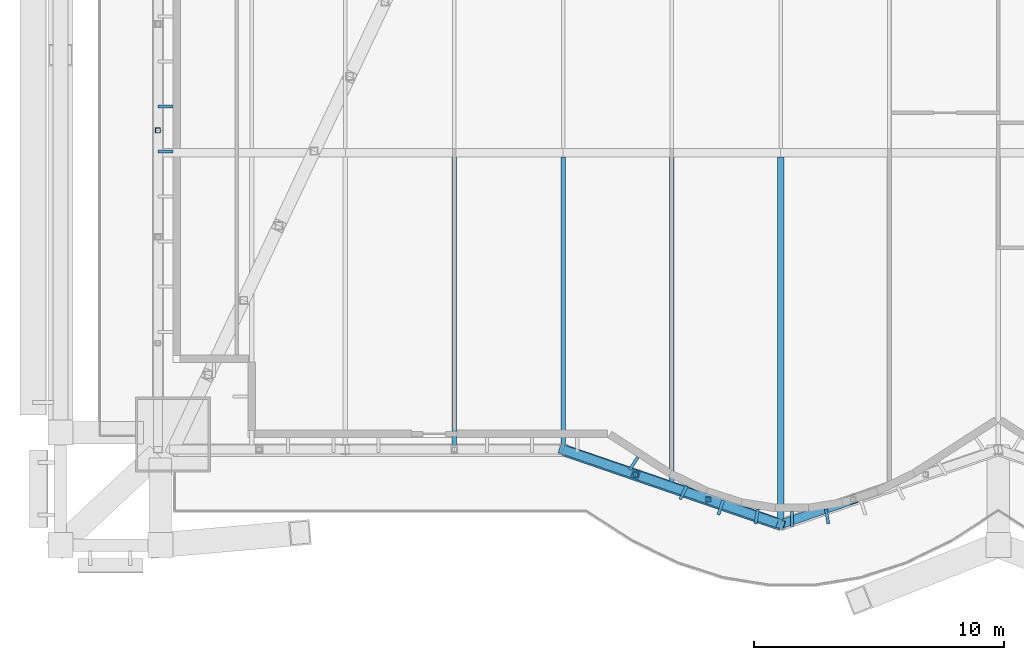
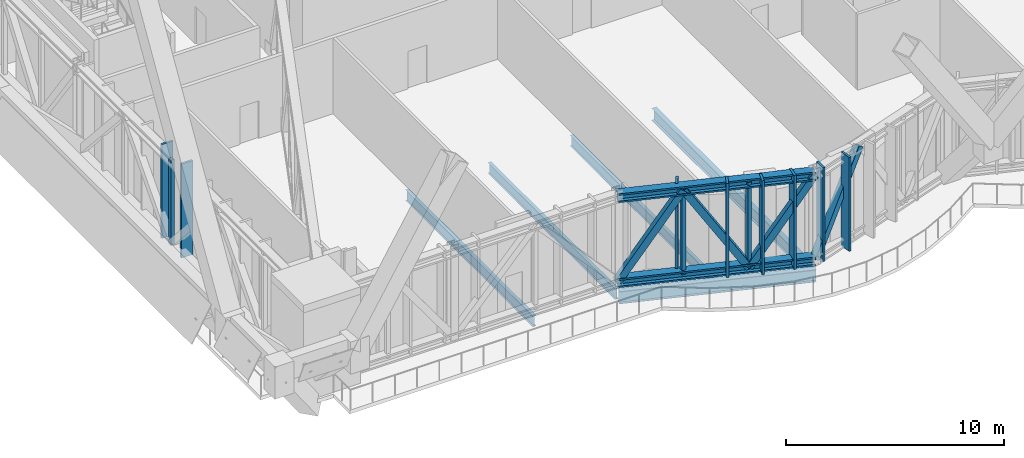
# One storey, part 5 of 32: 17 members, 5 beams, 1 element without a shape of its own.
"""IFC4 building model written with IfcOpenShell, lengths in metres."""

from ifc_helpers import new_model, si_unit, direction, frame, origin, origin_2d, place, context, subcontext, project, spatial, rectangle, hollow_rectangle, i_section, extrude, material, material_profile, profile_set, type_object, element, aggregate, save


model = new_model("IFC4")

# Units and contexts
model_context = context("Model", 3, precision=1e-05, world=origin(), true_north=direction((0.0, 1.0)))
body_context = subcontext(model_context, "Body", "Model", "MODEL_VIEW")
ifc_project = project(units=[si_unit("LENGTHUNIT", "METRE"), si_unit("AREAUNIT", "SQUARE_METRE"), si_unit("VOLUMEUNIT", "CUBIC_METRE"), si_unit("PLANEANGLEUNIT", "RADIAN"), si_unit("MASSUNIT", "GRAM", prefix="KILO")], contexts=[model_context])

# Site, building, storey
site_placement = place(None, origin())
site = spatial("IfcSite", under=ifc_project, at=site_placement, CompositionType="ELEMENT")
building_placement = place(site_placement, origin())
building = spatial("IfcBuilding", under=site, at=building_placement, Name="Bicima Exchange Tower", CompositionType="ELEMENT")
storey_placement = place(building_placement, frame((0.0, 0.0, 135.0)))
storey = spatial("IfcBuildingStorey", under=building, at=storey_placement, Name="L29", CompositionType="ELEMENT", Elevation=135.0)

# Curtain wall, members
ifc_material_1 = material(Name="Anodised bronze aluminium", Category="aluminium")
curtain_wall_type = type_object("IfcCurtainWallType", Name="Band blade screen", PredefinedType="NOTDEFINED", material=ifc_material_1)
curtain_wall_placement = place(storey_placement, origin())
curtain_wall = element("IfcCurtainWall", 1, at=curtain_wall_placement, inside=storey, type_object=curtain_wall_type, Name="Band blade screen L29", PredefinedType="NOTDEFINED")
ifc_material_profile_1 = material_profile(ifc_material_1, rectangle(XDim=0.60009765625, YDim=0.1201171875, at=origin_2d()))
ifc_profile_set_1 = profile_set([ifc_material_profile_1], Name="Anodised bronze aluminium")
member_type_1 = type_object("IfcMemberType", Name="Band blade fin 600 x 120", PredefinedType="USERDEFINED", material=ifc_profile_set_1)
member_1_placement = place(storey_placement, frame((-33.300048828125, -20.156005859375, 0.0), z_axis=(0.0, 0.0, 1.0), x_axis=(1.0, 0.0, 0.0)))
member_1 = element("IfcMember", 2, at=member_1_placement, type_object=member_type_1, Name="Band blade fin 19", ObjectType="FIN", PredefinedType="USERDEFINED", context=body_context, shape_type="SweptSolid", body=[
    extrude(rectangle(XDim=0.60009765625, YDim=0.1201171875, at=origin_2d()), origin(), (0.0, 0.0, 1.0), 5.25),
])
member_2_placement = place(storey_placement, frame((-33.300048828125, -21.9560546875, 0.0), z_axis=(0.0, 0.0, 1.0), x_axis=(1.0, 0.0, 0.0)))
member_2 = element("IfcMember", 3, at=member_2_placement, type_object=member_type_1, Name="Band blade fin 20", ObjectType="FIN", PredefinedType="USERDEFINED", context=body_context, shape_type="SweptSolid", body=[
    extrude(rectangle(XDim=0.60009765625, YDim=0.1201171875, at=origin_2d()), origin(), (0.0, 0.0, 1.0), 5.25),
])
member_3_placement = place(storey_placement, frame((-14.5703125, -34.42041015625, 0.0), z_axis=(0.0, 0.0, 1.0), x_axis=(0.542916511621, 0.839786676132, 0.0)))
member_3 = element("IfcMember", 4, at=member_3_placement, type_object=member_type_1, Name="Band blade fin 33", ObjectType="FIN", PredefinedType="USERDEFINED", context=body_context, shape_type="SweptSolid", body=[
    extrude(rectangle(XDim=0.60009765625, YDim=0.1201171875, at=origin_2d()), origin(), (0.0, 0.0, 1.0), 5.25),
])
member_4_placement = place(storey_placement, frame((-12.583740234375, -35.58251953125, 0.0), z_axis=(0.0, 0.0, 1.0), x_axis=(0.436286748784, 0.899807686584, 0.0)))
member_4 = element("IfcMember", 5, at=member_4_placement, type_object=member_type_1, Name="Band blade fin 34", ObjectType="FIN", PredefinedType="USERDEFINED", context=body_context, shape_type="SweptSolid", body=[
    extrude(rectangle(XDim=0.60009765625, YDim=0.1201171875, at=origin_2d()), origin(), (0.0, 0.0, 1.0), 5.25),
])
member_5_placement = place(storey_placement, frame((-11.096435546875, -36.18603515625, 0.0), z_axis=(0.0, 0.0, 1.0), x_axis=(0.307552591055, 0.951531083956, 0.0)))
member_5 = element("IfcMember", 6, at=member_5_placement, type_object=member_type_1, Name="Band blade fin 35", ObjectType="FIN", PredefinedType="USERDEFINED", context=body_context, shape_type="SweptSolid", body=[
    extrude(rectangle(XDim=0.60009765625, YDim=0.1201171875, at=origin_2d()), origin(), (0.0, 0.0, 1.0), 5.25),
])
member_6_placement = place(storey_placement, frame((-9.65869140625, -36.53662109375, 0.0), z_axis=(0.0, 0.0, 1.0), x_axis=(0.159533156447, 0.987192570877, 0.0)))
member_6 = element("IfcMember", 7, at=member_6_placement, type_object=member_type_1, Name="Band blade fin 36", ObjectType="FIN", PredefinedType="USERDEFINED", context=body_context, shape_type="SweptSolid", body=[
    extrude(rectangle(XDim=0.60009765625, YDim=0.1201171875, at=origin_2d()), origin(), (0.0, 0.0, 1.0), 5.25),
])
member_7_placement = place(storey_placement, frame((-8.25, -36.65087890625, 0.0), z_axis=(0.0, 0.0, 1.0), x_axis=(0.0, 1.0, 0.0)))
member_7 = element("IfcMember", 8, at=member_7_placement, type_object=member_type_1, Name="Band blade fin 37", ObjectType="FIN", PredefinedType="USERDEFINED", context=body_context, shape_type="SweptSolid", body=[
    extrude(rectangle(XDim=0.60009765625, YDim=0.1201171875, at=origin_2d()), origin(), (0.0, 0.0, 1.0), 5.25),
])
member_8_placement = place(storey_placement, frame((-6.84130859375, -36.53662109375, 0.0), z_axis=(0.0, 0.0, 1.0), x_axis=(-0.159533156447, 0.987192570877, 0.0)))
member_8 = element("IfcMember", 9, at=member_8_placement, type_object=member_type_1, Name="Band blade fin 38", ObjectType="FIN", PredefinedType="USERDEFINED", context=body_context, shape_type="SweptSolid", body=[
    extrude(rectangle(XDim=0.60009765625, YDim=0.1201171875, at=origin_2d()), origin(), (0.0, 0.0, 1.0), 5.25),
])
aggregate(curtain_wall, [member_1, member_2, member_3, member_4, member_5, member_6, member_7, member_8])

# Members
ifc_material_2 = material(Name="Steel ASTM A992 Gr 50", Category="steel")
ifc_material_profile_2 = material_profile(ifc_material_2, i_section(OverallWidth=0.431884765625, OverallDepth=0.497802734375, WebThickness=0.0556640625, FlangeThickness=0.0888671875, at=origin_2d()))
ifc_profile_set_2 = profile_set([ifc_material_profile_2], Name="Steel ASTM A992 Gr 50")
member_type_2 = type_object("IfcMemberType", Name="Belt truss chord W14x500", PredefinedType="CHORD", material=ifc_profile_set_2)
for number, where, z_axis, x_axis, name in (
    (10, (-17.39990234375, -33.865966796875, 5.001220703125), (0.945666456746, -0.325138359143, 0.0), (0.325138359143, 0.945666456746, 0.0), "Top chord"),
    (11, (-17.39990234375, -33.865966796875, 0.248779296875), (0.945666456746, -0.325138359143, 0.0), (0.325138359143, 0.945666456746, 0.0), "Bottom chord"),
):
    element("IfcMember", number, at=place(storey_placement, frame(where, z_axis=z_axis, x_axis=x_axis)), inside=storey, type_object=member_type_2, Name=name, PredefinedType="CHORD", context=body_context, shape_type="SweptSolid", body=[
        extrude(i_section(OverallWidth=0.431884765625, OverallDepth=0.497802734375, WebThickness=0.0556640625, FlangeThickness=0.0888671875, at=origin_2d()), origin(), (0.0, 0.0, 1.0), 9.19970703125),
    ])
ifc_material_3 = material(Name="Steel ASTM A572 Gr 50", Category="steel")
ifc_material_profile_3 = material_profile(ifc_material_3, hollow_rectangle(XDim=0.355712890625, YDim=0.355712890625, WallThickness=0.0146484375, at=origin_2d()))
ifc_profile_set_3 = profile_set([ifc_material_profile_3], Name="Steel ASTM A572 Gr 50")
member_type_3 = type_object("IfcMemberType", Name="Belt truss diagonal HSS14x14x5/8", PredefinedType="STRUT", material=ifc_profile_set_3)
for number, where, z_axis, x_axis, name in (
    (12, (-17.39990234375, -33.865966796875, 0.248779296875), (0.5127210239, -0.176288319718, 0.840261614012), (0.325146518908, 0.945663651222, 0.0), "Truss diagonal"),
    (13, (-14.5, -34.863037109375, 5.001220703125), (0.5127210239, -0.176288319718, -0.840261614012), (0.325146518908, 0.945663651222, 0.0), "Truss diagonal"),
    (14, (-11.60009765625, -35.860107421875, 0.248779296875), (0.512752840949, -0.176284418085, 0.840243017251), (0.325122040768, 0.94567206716, 0.0), "Truss diagonal"),
    (15, (-8.699951171875, -36.857177734375, 0.248779296875), (0.5127210239, 0.176288319718, 0.840261614012), (-0.325146518908, 0.945663651222, 0.0), "Truss diagonal"),
):
    element("IfcMember", number, at=place(storey_placement, frame(where, z_axis=z_axis, x_axis=x_axis)), inside=storey, type_object=member_type_3, Name=name, PredefinedType="STRUT", context=body_context, shape_type="SweptSolid", body=[
        extrude(hollow_rectangle(XDim=0.355712890625, YDim=0.355712890625, WallThickness=0.0146484375, at=origin_2d()), origin(), (0.0, 0.0, 1.0), 5.656005859375),
    ])
ifc_material_profile_4 = material_profile(ifc_material_3, hollow_rectangle(XDim=0.203125, YDim=0.203125, WallThickness=0.01171875, at=origin_2d()))
ifc_profile_set_4 = profile_set([ifc_material_profile_4], Name="Steel ASTM A572 Gr 50")
member_type_4 = type_object("IfcMemberType", Name="Belt truss post HSS8x8x1/2", PredefinedType="POST", material=ifc_profile_set_4)
for number, where, z_axis, x_axis, name in (
    (16, (-14.5, -34.863037109375, 0.248779296875), (0.0, 0.0, 1.0), (1.0, 0.0, 0.0), "Truss post"),
    (17, (-11.60009765625, -35.860107421875, 0.248779296875), (0.0, 0.0, 1.0), (1.0, 0.0, 0.0), "Truss post"),
    (18, (-33.60009765625, -21.1064453125, 0.248779296875), (0.0, 0.0, 1.0), (1.0, 0.0, 0.0), "Truss post"),
):
    element("IfcMember", number, at=place(storey_placement, frame(where, z_axis=z_axis, x_axis=x_axis)), inside=storey, type_object=member_type_4, Name=name, PredefinedType="POST", context=body_context, shape_type="SweptSolid", body=[
        extrude(hollow_rectangle(XDim=0.203125, YDim=0.203125, WallThickness=0.01171875, at=origin_2d()), origin(), (0.0, 0.0, 1.0), 4.75244140625),
    ])

# Beams
ifc_material_profile_5 = material_profile(ifc_material_2, i_section(OverallWidth=0.177978515625, OverallDepth=0.599365234375, WebThickness=0.010009765625, FlangeThickness=0.012939453125, at=origin_2d()))
ifc_profile_set_5 = profile_set([ifc_material_profile_5], Name="Steel ASTM A992 Gr 50")
beam_type_1 = type_object("IfcBeamType", Name="Floor beam W24x55", PredefinedType="JOIST", material=ifc_profile_set_5)
for number, where, z_axis, x_axis, name in (
    (19, (-21.75, -22.16259765625, -0.499755859375), (0.0, -1.0, 0.0), (1.0, 0.0, 0.0), "Floor beam"),
    (20, (-17.39990234375, -22.16259765625, -0.499755859375), (0.0, -1.0, 0.0), (1.0, 0.0, 0.0), "Floor beam"),
):
    element("IfcBeam", number, at=place(storey_placement, frame(where, z_axis=z_axis, x_axis=x_axis)), inside=storey, type_object=beam_type_1, Name=name, PredefinedType="JOIST", context=body_context, shape_type="SweptSolid", body=[
        extrude(i_section(OverallWidth=0.177978515625, OverallDepth=0.599365234375, WebThickness=0.010009765625, FlangeThickness=0.012939453125, at=origin_2d()), origin(), (0.0, 0.0, 1.0), 11.662841796875),
    ])
beam_1_placement = place(storey_placement, frame((-13.050048828125, -22.16259765625, -0.499755859375), z_axis=(0.0, -1.0, 0.0), x_axis=(1.0, 0.0, 0.0)))
element("IfcBeam", 21, at=beam_1_placement, inside=storey, type_object=beam_type_1, Name="Floor beam", PredefinedType="JOIST", context=body_context, shape_type="SweptSolid", body=[
    extrude(i_section(OverallWidth=0.177978515625, OverallDepth=0.599365234375, WebThickness=0.010009765625, FlangeThickness=0.012939453125, at=origin_2d()), origin(), (0.0, 0.0, 1.0), 13.185302734375),
])
ifc_material_profile_6 = material_profile(ifc_material_2, i_section(OverallWidth=0.25390625, OverallDepth=0.67822265625, WebThickness=0.01171875, FlangeThickness=0.016357421875, at=origin_2d()))
ifc_profile_set_6 = profile_set([ifc_material_profile_6], Name="Steel ASTM A992 Gr 50")
beam_type_2 = type_object("IfcBeamType", Name="Floor beam W27x84", PredefinedType="JOIST", material=ifc_profile_set_6)
beam_2_placement = place(storey_placement, frame((-8.699951171875, -22.16259765625, -0.5390625), z_axis=(0.0, -1.0, 0.0), x_axis=(1.0, 0.0, 0.0)))
element("IfcBeam", 22, at=beam_2_placement, inside=storey, type_object=beam_type_2, Name="Floor beam", PredefinedType="JOIST", context=body_context, shape_type="SweptSolid", body=[
    extrude(i_section(OverallWidth=0.25390625, OverallDepth=0.67822265625, WebThickness=0.01171875, FlangeThickness=0.016357421875, at=origin_2d()), origin(), (0.0, 0.0, 1.0), 14.680908203125),
])
ifc_material_profile_7 = material_profile(ifc_material_2, i_section(OverallWidth=0.256591796875, OverallDepth=0.693359375, WebThickness=0.014404296875, FlangeThickness=0.023681640625, at=origin_2d()))
ifc_profile_set_7 = profile_set([ifc_material_profile_7], Name="Steel ASTM A992 Gr 50")
beam_type_3 = type_object("IfcBeamType", Name="Front girder W27x114", PredefinedType="BEAM", material=ifc_profile_set_7)
beam_3_placement = place(storey_placement, frame((-17.39990234375, -33.988037109375, -0.546630859375), z_axis=(0.945674616091, -0.32511462668, 0.0), x_axis=(0.32511462668, 0.945674616091, 0.0)))
element("IfcBeam", 23, at=beam_3_placement, inside=storey, type_object=beam_type_3, Name="Front girder", PredefinedType="BEAM", context=body_context, shape_type="SweptSolid", body=[
    extrude(i_section(OverallWidth=0.256591796875, OverallDepth=0.693359375, WebThickness=0.014404296875, FlangeThickness=0.023681640625, at=origin_2d()), origin(), (0.0, 0.0, 1.0), 9.19970703125),
])

save(model, "model.ifc")
